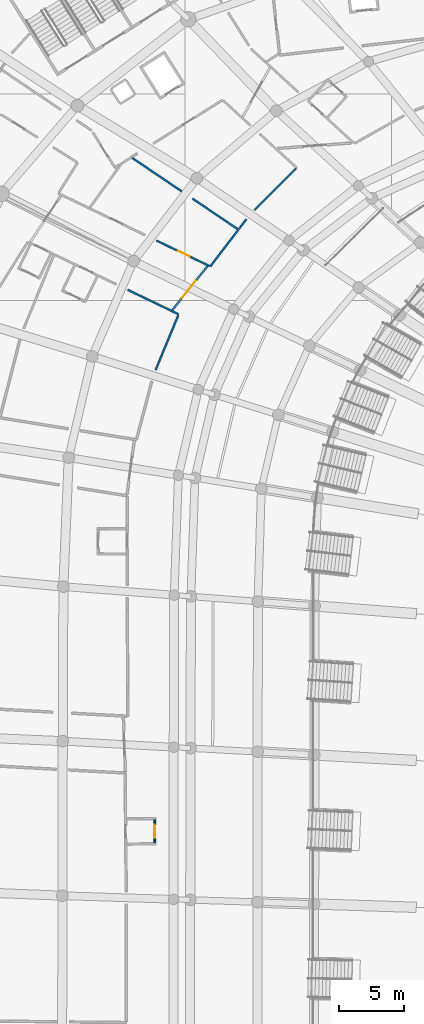
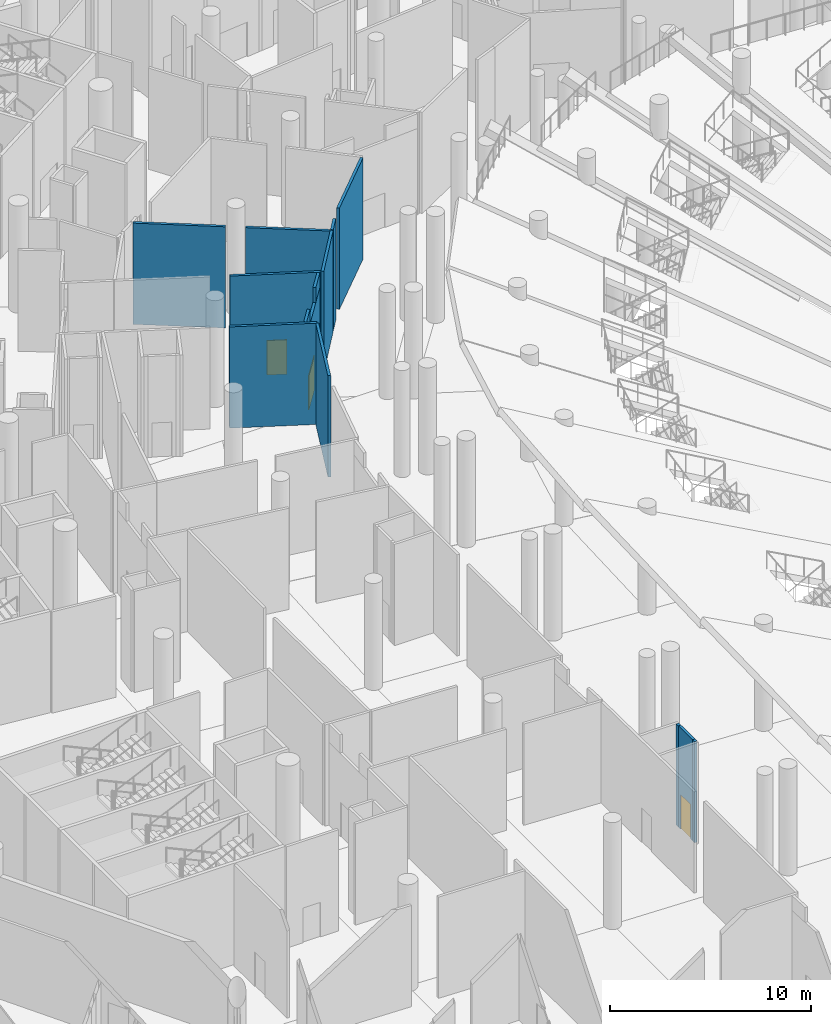
# One storey, part 137 of 255: 14 walls, 3 doors, 3 openings.
"""IFC4 building model written with IfcOpenShell, lengths in metres."""

from ifc_helpers import new_model, si_unit, direction, frame, frame_2d, origin, place, context, subcontext, project, spatial, rectangle, extrude, material, layer, layer_set, type_object, element, fill, save


model = new_model("IFC4")

# Units and contexts
model_context = context("Model", 3, precision=1e-05, world=origin(), true_north=direction((0.0, 1.0)))
body_context = subcontext(model_context, "Body", "Model", "MODEL_VIEW")
ifc_project = project(units=[si_unit("LENGTHUNIT", "METRE"), si_unit("AREAUNIT", "SQUARE_METRE"), si_unit("VOLUMEUNIT", "CUBIC_METRE"), si_unit("PLANEANGLEUNIT", "RADIAN"), si_unit("MASSUNIT", "GRAM", prefix="KILO")], contexts=[model_context])

# Site, building, storey
site_placement = place(None, origin())
site = spatial("IfcSite", under=ifc_project, at=site_placement, CompositionType="ELEMENT")
building_placement = place(site_placement, origin())
building = spatial("IfcBuilding", under=site, at=building_placement, Name="Meseta Stadium", CompositionType="ELEMENT")
storey_placement = place(building_placement, origin())
storey = spatial("IfcBuildingStorey", under=building, at=storey_placement, Name="L00", CompositionType="ELEMENT", Elevation=0.0)

# Wall
ifc_material_1 = material(Name="Masonry blockwork", Category="masonry")
ifc_layer = layer(ifc_material_1, 0.14990234375)
ifc_layer_set = layer_set([ifc_layer], Name="Partition 150")
wall_type = type_object("IfcWallType", Name="Partition 150", PredefinedType="PARTITIONING", material=ifc_layer_set)
wall_1_placement = place(storey_placement, frame((-59.856689453125, 69.4921875, 0.0), z_axis=(0.0, 0.0, 1.0), x_axis=(-0.607500647977, -0.794319181883, 0.0)))
element("IfcWall", 1, at=wall_1_placement, inside=storey, type_object=wall_type, Name="Partition L00 L00-cell12-1-0a", PredefinedType="PARTITIONING", context=body_context, shape_type="SweptSolid", body=[
    extrude(rectangle(XDim=3.5859375, YDim=0.14990234375, at=frame_2d((1.79296875, 0.0))), origin(), (0.0, 0.0, 1.0), 6.14990234375),
])

# Wall, opening, door
wall_2_placement = place(storey_placement, frame((-62.104248046875, 66.677001953125, 0.0), z_axis=(0.0, 0.0, 1.0), x_axis=(-0.901215323509, 0.433371596523, 0.0)))
wall_2 = element("IfcWall", 2, at=wall_2_placement, inside=storey, type_object=wall_type, Name="Partition L00 L00-cell12-1-0a", PredefinedType="PARTITIONING", context=body_context, shape_type="SweptSolid", body=[
    extrude(rectangle(XDim=4.546875, YDim=0.14990234375, at=frame_2d((2.2734375, 0.0))), origin(), (0.0, 0.0, 1.0), 6.14990234375),
])
opening_1_placement = place(wall_2_placement, frame((1.699951171875, 0.0, 0.0)))
opening_1 = element("IfcOpeningElement", 3, at=opening_1_placement, cuts=wall_2, Name="Opening D568", PredefinedType="OPENING", context=body_context, shape_type="SweptSolid", body=[
    extrude(rectangle(XDim=1.0, YDim=2.10009765625, at=frame_2d((0.5, 1.050048828125))), frame((0.0, 0.0849609375, 0.0), z_axis=(0.0, -1.0, 0.0), x_axis=(1.0, 0.0, 0.0)), (0.0, 0.0, 1.0), 0.169921875),
])
ifc_material_2 = material(Name="Timber", Category="wood")
door_type_1 = type_object("IfcDoorType", Name="Room door 1000x2100", OperationType="NOTDEFINED", PredefinedType="DOOR", material=ifc_material_2)
door_1_placement = place(opening_1_placement, origin())
door_1 = element("IfcDoor", 4, at=door_1_placement, inside=storey, type_object=door_type_1, Name="Door D568", OperationType="SINGLE_SWING_RIGHT", OverallHeight=2.10009765625, OverallWidth=1.0, PredefinedType="DOOR", context=body_context, shape_type="SweptSolid", body=[
    extrude(rectangle(XDim=1.0, YDim=2.10009765625, at=frame_2d((0.5, 1.050048828125))), frame((0.0, 0.02490234375, 0.0), z_axis=(0.0, -1.0, 0.0), x_axis=(1.0, 0.0, 0.0)), (0.0, 0.0, 1.0), 0.050048828125),
])
fill(opening_1, door_1)

# Walls
wall_3_placement = place(storey_placement, frame((-63.41259765625, 71.892578125, 0.0), z_axis=(0.0, 0.0, 1.0), x_axis=(0.828828529776, -0.559502697249, 0.0)))
element("IfcWall", 5, at=wall_3_placement, inside=storey, type_object=wall_type, Name="Partition L00 L00-cell12-1-0a", PredefinedType="PARTITIONING", context=body_context, shape_type="SweptSolid", body=[
    extrude(rectangle(XDim=4.215087890625, YDim=0.14990234375, at=frame_2d((2.107421875, 0.0))), origin(), (0.0, 0.0, 1.0), 6.14990234375),
])
wall_4_placement = place(storey_placement, frame((-68.0751953125, 75.0400390625, 0.0), z_axis=(0.0, 0.0, 1.0), x_axis=(0.82883458938, -0.55949372065, 0.0)))
element("IfcWall", 6, at=wall_4_placement, inside=storey, type_object=wall_type, Name="Partition L00 L00-cell12-1-0b1", PredefinedType="PARTITIONING", context=body_context, shape_type="SweptSolid", body=[
    extrude(rectangle(XDim=4.621826171875, YDim=0.14990234375, at=frame_2d((2.31103515625, 0.0))), origin(), (0.0, 0.0, 1.0), 6.14990234375),
])
wall_5_placement = place(storey_placement, frame((-55.398193359375, 74.222900390625, 0.0), z_axis=(0.0, 0.0, 1.0), x_axis=(-0.707965505739, -0.706247012514, 0.0)))
element("IfcWall", 7, at=wall_5_placement, inside=storey, type_object=wall_type, Name="Partition L00 L00-cell12-1-0w", PredefinedType="PARTITIONING", context=body_context, shape_type="SweptSolid", body=[
    extrude(rectangle(XDim=4.546142578125, YDim=0.14990234375, at=frame_2d((2.27294921875, 0.0))), origin(), (0.0, 0.0, 1.0), 6.14990234375),
])
wall_6_placement = place(storey_placement, frame((-59.238037109375, 70.301025390625, 0.0), z_axis=(0.0, 0.0, 1.0), x_axis=(-0.607515602577, -0.794307744282, 0.0)))
element("IfcWall", 8, at=wall_6_placement, inside=storey, type_object=wall_type, Name="Partition L00 L00-cell12-1-0w", PredefinedType="PARTITIONING", context=body_context, shape_type="SweptSolid", body=[
    extrude(rectangle(XDim=0.968505859375, YDim=0.14990234375, at=frame_2d((0.484375, 0.0))), origin(), (0.0, 0.0, 1.0), 6.14990234375),
])
wall_7_placement = place(storey_placement, frame((-68.42724609375, 64.835205078125, 0.0), z_axis=(0.0, 0.0, 1.0), x_axis=(0.901214723888, -0.433372843459, 0.0)))
element("IfcWall", 9, at=wall_7_placement, inside=storey, type_object=wall_type, Name="Partition L00 L00-cell13-1-0", PredefinedType="PARTITIONING", context=body_context, shape_type="SweptSolid", body=[
    extrude(rectangle(XDim=4.377197265625, YDim=0.14990234375, at=frame_2d((2.1884765625, 0.0))), origin(), (0.0, 0.0, 1.0), 6.14990234375),
])
wall_8_placement = place(storey_placement, frame((-64.510986328125, 62.868896484375, 0.0), z_axis=(0.0, 0.0, 1.0), x_axis=(-0.382677430763, -0.923882018433, 0.0)))
element("IfcWall", 10, at=wall_8_placement, inside=storey, type_object=wall_type, Name="Partition L00 L00-cell13-1-0", PredefinedType="PARTITIONING", context=body_context, shape_type="SweptSolid", body=[
    extrude(rectangle(XDim=4.5908203125, YDim=0.14990234375, at=frame_2d((2.29541015625, 0.0))), origin(), (0.0, 0.0, 1.0), 6.14990234375),
])
wall_9_placement = place(storey_placement, frame((-66.343994140625, 23.83349609375, 0.0), z_axis=(0.0, 0.0, 1.0), x_axis=(0.009755633294, -0.999952412677, 0.0)))
element("IfcWall", 11, at=wall_9_placement, inside=storey, type_object=wall_type, Name="Partition L00 L00-cell15-1-0 vestibule", PredefinedType="PARTITIONING", context=body_context, shape_type="SweptSolid", body=[
    extrude(rectangle(XDim=0.2001953125, YDim=0.14990234375, at=frame_2d((0.10009765625, 0.0))), origin(), (0.0, 0.0, 1.0), 6.14990234375),
])

# Wall, opening, door
wall_10_placement = place(storey_placement, frame((-66.342041015625, 23.63330078125, 0.0), z_axis=(0.0, 0.0, 1.0), x_axis=(0.009765840518, -0.999952313042, 0.0)))
wall_10 = element("IfcWall", 12, at=wall_10_placement, inside=storey, type_object=wall_type, Name="Partition L00 L00-cell15-1-0 vestibule", PredefinedType="PARTITIONING", context=body_context, shape_type="SweptSolid", body=[
    extrude(rectangle(XDim=1.39990234375, YDim=0.14990234375, at=frame_2d((0.699951171875, 0.0))), origin(), (0.0, 0.0, 1.0), 6.14990234375),
])
opening_2_placement = place(wall_10_placement, frame((0.199951171875, 0.0, 0.0)))
opening_2 = element("IfcOpeningElement", 13, at=opening_2_placement, cuts=wall_10, Name="Opening D845", PredefinedType="OPENING", context=body_context, shape_type="SweptSolid", body=[
    extrude(rectangle(XDim=1.0, YDim=2.10009765625, at=frame_2d((0.5, 1.050048828125))), frame((0.0, 0.0849609375, 0.0), z_axis=(0.0, -1.0, 0.0), x_axis=(1.0, 0.0, 0.0)), (0.0, 0.0, 1.0), 0.169921875),
])
ifc_material_3 = material(Name="Steel", Category="steel")
door_type_2 = type_object("IfcDoorType", Name="Fire door 1000x2100 EI2 60", OperationType="NOTDEFINED", PredefinedType="DOOR", material=ifc_material_3)
door_2_placement = place(opening_2_placement, origin())
door_2 = element("IfcDoor", 14, at=door_2_placement, inside=storey, type_object=door_type_2, Name="Vestibule door L00 L00-cell15-1-0", OperationType="SINGLE_SWING_LEFT", OverallHeight=2.10009765625, OverallWidth=1.0, PredefinedType="DOOR", context=body_context, shape_type="SweptSolid", body=[
    extrude(rectangle(XDim=1.0, YDim=2.10009765625, at=frame_2d((0.5, 1.050048828125))), frame((0.0, 0.02490234375, 0.0), z_axis=(0.0, -1.0, 0.0), x_axis=(1.0, 0.0, 0.0)), (0.0, 0.0, 1.0), 0.050048828125),
])
fill(opening_2, door_2)

# Wall
wall_11_placement = place(storey_placement, frame((-66.328369140625, 22.2333984375, 0.0), z_axis=(0.0, 0.0, 1.0), x_axis=(0.009767543799, -0.999952296406, 0.0)))
element("IfcWall", 15, at=wall_11_placement, inside=storey, type_object=wall_type, Name="Partition L00 L00-cell15-1-0 vestibule", PredefinedType="PARTITIONING", context=body_context, shape_type="SweptSolid", body=[
    extrude(rectangle(XDim=0.199951171875, YDim=0.14990234375, at=frame_2d((0.10009765625, 0.0))), origin(), (0.0, 0.0, 1.0), 6.14990234375),
])

# Wall, opening, door
wall_12_placement = place(storey_placement, frame((-62.262939453125, 66.650146484375, 0.0), z_axis=(0.0, 0.0, 1.0), x_axis=(-0.625864340601, -0.77993193752, 0.0)))
wall_12 = element("IfcWall", 16, at=wall_12_placement, inside=storey, type_object=wall_type, Name="Escape corridor discharge wall L00 core 14", PredefinedType="PARTITIONING", context=body_context, shape_type="SweptSolid", body=[
    extrude(rectangle(XDim=4.325927734375, YDim=0.14990234375, at=frame_2d((2.1630859375, 0.0))), origin(), (0.0, 0.0, 1.0), 5.25),
])
opening_3_placement = place(wall_12_placement, frame((1.376220703125, 0.0, 0.0)))
opening_3 = element("IfcOpeningElement", 17, at=opening_3_placement, cuts=wall_12, Name="Opening D390", PredefinedType="OPENING", context=body_context, shape_type="SweptSolid", body=[
    extrude(rectangle(XDim=1.800048828125, YDim=2.10009765625, at=frame_2d((0.89990234375, 1.050048828125))), frame((0.0, 0.0849609375, 0.0), z_axis=(0.0, -1.0, 0.0), x_axis=(1.0, 0.0, 0.0)), (0.0, 0.0, 1.0), 0.169921875),
])
ifc_material_4 = material(Name="Steel", Category="steel")
door_type_3 = type_object("IfcDoorType", Name="Fire double door 1800x2100 EI2 60", OperationType="DOUBLE_DOOR_SINGLE_SWING", PredefinedType="DOOR", material=ifc_material_4)
door_3_placement = place(opening_3_placement, origin())
door_3 = element("IfcDoor", 18, at=door_3_placement, inside=storey, type_object=door_type_3, Name="Stair discharge door SD14-1", OperationType="DOUBLE_DOOR_SINGLE_SWING", OverallHeight=2.10009765625, OverallWidth=1.800048828125, PredefinedType="DOOR", context=body_context, shape_type="SweptSolid", body=[
    extrude(rectangle(XDim=1.800048828125, YDim=2.10009765625, at=frame_2d((0.89990234375, 1.050048828125))), frame((0.0, 0.02490234375, 0.0), z_axis=(0.0, -1.0, 0.0), x_axis=(1.0, 0.0, 0.0)), (0.0, 0.0, 1.0), 0.050048828125),
])
fill(opening_3, door_3)

# Walls
wall_13_placement = place(storey_placement, frame((-64.281982421875, 64.134033203125, 5.25), z_axis=(0.0, 0.0, 1.0), x_axis=(-0.625885246077, -0.779915161247, 0.0)))
element("IfcWall", 19, at=wall_13_placement, inside=storey, type_object=wall_type, Name="Escape corridor discharge wall L00 core 14", PredefinedType="PARTITIONING", context=body_context, shape_type="SweptSolid", body=[
    extrude(rectangle(XDim=1.10009765625, YDim=0.14990234375, at=frame_2d((0.550048828125, 0.0))), origin(), (0.0, 0.0, 1.0), 0.89990234375),
])
wall_14_placement = place(storey_placement, frame((-62.262939453125, 66.650146484375, 5.25), z_axis=(0.0, 0.0, 1.0), x_axis=(-0.62586166686, -0.779934083084, 0.0)))
element("IfcWall", 20, at=wall_14_placement, inside=storey, type_object=wall_type, Name="Escape corridor discharge wall L00 core 14", PredefinedType="PARTITIONING", context=body_context, shape_type="SweptSolid", body=[
    extrude(rectangle(XDim=1.326416015625, YDim=0.14990234375, at=frame_2d((0.6630859375, 0.0))), origin(), (0.0, 0.0, 1.0), 0.89990234375),
])

save(model, "model.ifc")
